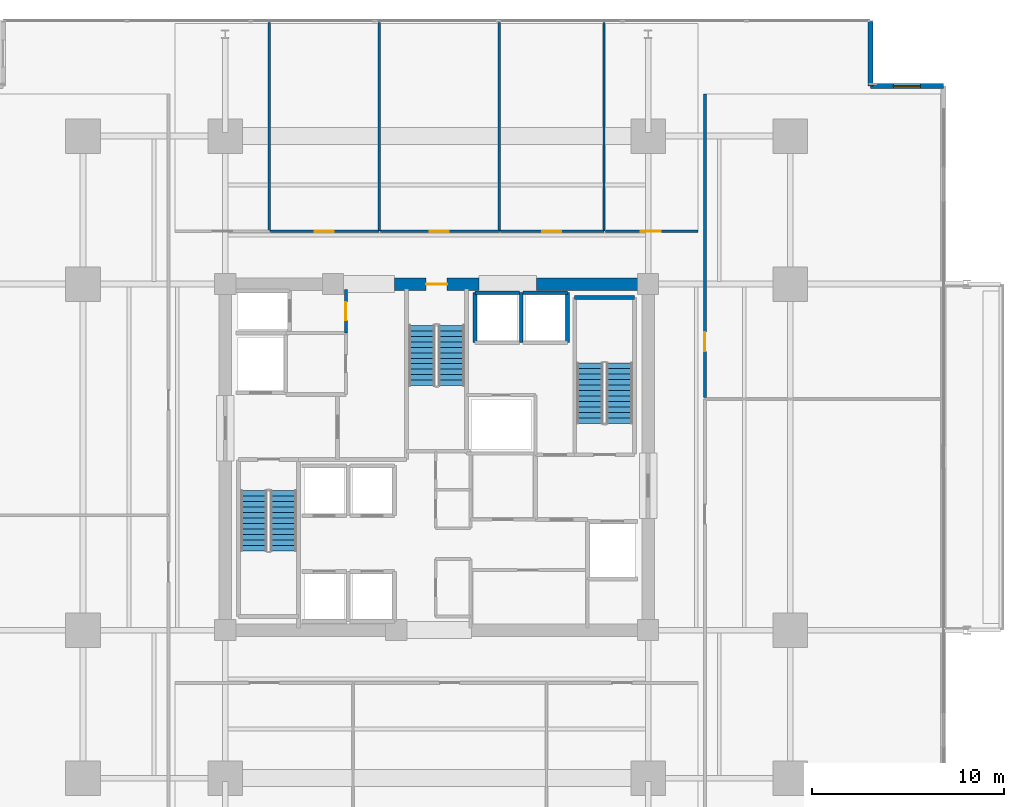
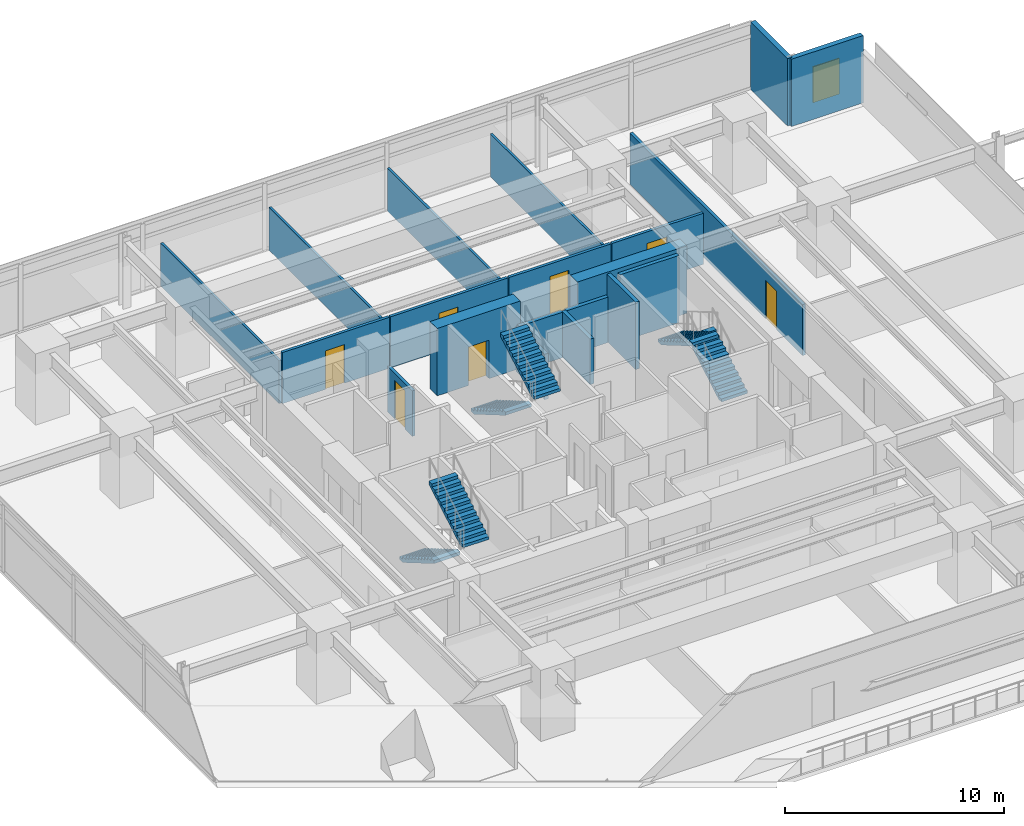
# One storey, part 18 of 23: 20 walls, 7 doors, 6 stair flights, 1 window, 8 openings, 3 elements without a shape of their own.
"""IFC4 building model written with IfcOpenShell, lengths in metres."""

from ifc_helpers import new_model, si_unit, direction, frame, frame_2d, origin, place, context, subcontext, project, spatial, polyline, rectangle, outline, extrude, material, layer, layer_set, type_object, element, fill, aggregate, save


model = new_model("IFC4")

# Units and contexts
model_context = context("Model", 3, precision=1e-05, world=origin(), true_north=direction((0.0, 1.0)))
body_context = subcontext(model_context, "Body", "Model", "MODEL_VIEW")
ifc_project = project(units=[si_unit("LENGTHUNIT", "METRE"), si_unit("AREAUNIT", "SQUARE_METRE"), si_unit("VOLUMEUNIT", "CUBIC_METRE"), si_unit("PLANEANGLEUNIT", "RADIAN"), si_unit("MASSUNIT", "GRAM", prefix="KILO")], contexts=[model_context])

# Site, building, storey
site_placement = place(None, origin())
site = spatial("IfcSite", under=ifc_project, at=site_placement, CompositionType="ELEMENT")
building_placement = place(site_placement, origin())
building = spatial("IfcBuilding", under=site, at=building_placement, Name="Kovane Verandah Tower", CompositionType="ELEMENT")
storey_placement = place(building_placement, frame((0.0, 0.0, 91.60009765625)))
storey = spatial("IfcBuildingStorey", under=building, at=storey_placement, Name="L21", CompositionType="ELEMENT", Elevation=91.60009765625)

# Wall, opening, door
ifc_material_1 = material(Name="Fire-Rated Gypsum Stud Partition", Category="gypsum")
ifc_layer_1 = layer(ifc_material_1, 0.14990234375)
ifc_layer_set_1 = layer_set([ifc_layer_1], Name="Fire-Rated Gypsum Stud Partition")
wall_type_1 = type_object("IfcWallType", Name="WL-COR-150", PredefinedType="PARTITIONING", material=ifc_layer_set_1)
wall_1_placement = place(storey_placement, frame((35.280029296875, 33.949951171875, 0.0), z_axis=(0.0, 0.0, 1.0), x_axis=(0.0, 1.0, 0.0)))
wall_1 = element("IfcWall", 1, at=wall_1_placement, inside=storey, type_object=wall_type_1, Name="L21 Goods Lift Lobby East Fire Partition", PredefinedType="PARTITIONING", context=body_context, shape_type="SweptSolid", body=[
    extrude(rectangle(XDim=2.27001953125, YDim=0.14990234375, at=frame_2d((1.135009765625, 0.0))), origin(), (0.0, 0.0, 1.0), 2.539794921875),
])
opening_1_placement = place(wall_1_placement, frame((0.659912109375, 0.0, 0.0)))
opening_1 = element("IfcOpeningElement", 2, at=opening_1_placement, cuts=wall_1, Name="Opening DR-L21-008", PredefinedType="OPENING", context=body_context, shape_type="SweptSolid", body=[
    extrude(rectangle(XDim=0.949951171875, YDim=2.14990234375, at=frame_2d((0.47509765625, 1.074951171875))), frame((0.0, 0.074951171875, 0.0), z_axis=(0.0, -1.0, 0.0), x_axis=(1.0, 0.0, 0.0)), (0.0, 0.0, 1.0), 0.14990234375),
])
ifc_material_2 = material(Name="Fire-Rated Steel Refuge and Lobby Door", Category="steel")
door_type_1 = type_object("IfcDoorType", Name="DR-FIRE-950", OperationType="SINGLE_SWING_LEFT", PredefinedType="DOOR", material=ifc_material_2)
door_1_placement = place(opening_1_placement, origin())
door_1 = element("IfcDoor", 3, at=door_1_placement, inside=storey, type_object=door_type_1, Name="L21 Goods Lift Lobby Fire Door", OperationType="SINGLE_SWING_RIGHT", OverallHeight=2.14990234375, OverallWidth=0.949951171875, PredefinedType="DOOR", context=body_context, shape_type="SweptSolid", body=[
    extrude(rectangle(XDim=0.949951171875, YDim=2.14990234375, at=frame_2d((0.47509765625, 1.074951171875))), frame((0.0, 0.02490234375, 0.0), z_axis=(0.0, -1.0, 0.0), x_axis=(1.0, 0.0, 0.0)), (0.0, 0.0, 1.0), 0.050048828125),
])
fill(opening_1, door_1)

wall_2_placement = place(storey_placement, frame((31.365966796875, 39.25, 0.0), z_axis=(0.0, 0.0, 1.0), x_axis=(1.0, 0.0, 0.0)))
wall_2 = element("IfcWall", 4, at=wall_2_placement, inside=storey, type_object=wall_type_1, Name="L21 Collaboration Hub N2 Corridor Partition", PredefinedType="PARTITIONING", context=body_context, shape_type="SweptSolid", body=[
    extrude(rectangle(XDim=5.64208984375, YDim=0.14990234375, at=frame_2d((2.821044921875, 0.0))), origin(), (0.0, 0.0, 1.0), 2.849853515625),
])
opening_2_placement = place(wall_2_placement, frame((2.285888671875, 0.0, 0.0)))
opening_2 = element("IfcOpeningElement", 5, at=opening_2_placement, cuts=wall_2, Name="Opening DR-L21-018", PredefinedType="OPENING", context=body_context, shape_type="SweptSolid", body=[
    extrude(rectangle(XDim=1.0, YDim=2.14990234375, at=frame_2d((0.5, 1.074951171875))), frame((0.0, 0.074951171875, 0.0), z_axis=(0.0, -1.0, 0.0), x_axis=(1.0, 0.0, 0.0)), (0.0, 0.0, 1.0), 0.14990234375),
])
ifc_material_3 = material(Name="FSC Spotted-Gum Timber Fire-Rated Office Door", Category="wood")
door_type_2 = type_object("IfcDoorType", Name="DR-OFF-1000", OperationType="SINGLE_SWING_LEFT", PredefinedType="DOOR", material=ifc_material_3)
door_2_placement = place(opening_2_placement, origin())
door_2 = element("IfcDoor", 6, at=door_2_placement, inside=storey, type_object=door_type_2, Name="L21 Collaboration Hub N2 Entrance Door", OperationType="SINGLE_SWING_RIGHT", OverallHeight=2.14990234375, OverallWidth=1.0, PredefinedType="DOOR", context=body_context, shape_type="SweptSolid", body=[
    extrude(rectangle(XDim=1.0, YDim=2.14990234375, at=frame_2d((0.5, 1.074951171875))), frame((0.0, 0.02490234375, 0.0), z_axis=(0.0, -1.0, 0.0), x_axis=(1.0, 0.0, 0.0)), (0.0, 0.0, 1.0), 0.050048828125),
])
fill(opening_2, door_2)

wall_3_placement = place(storey_placement, frame((37.077880859375, 39.25, 0.0), z_axis=(0.0, 0.0, 1.0), x_axis=(1.0, 0.0, 0.0)))
wall_3 = element("IfcWall", 7, at=wall_3_placement, inside=storey, type_object=wall_type_1, Name="L21 Document and Print Room N3 Corridor Partition", PredefinedType="PARTITIONING", context=body_context, shape_type="SweptSolid", body=[
    extrude(rectangle(XDim=6.18603515625, YDim=0.14990234375, at=frame_2d((3.093017578125, 0.0))), origin(), (0.0, 0.0, 1.0), 2.849853515625),
])
opening_3_placement = place(wall_3_placement, frame((2.55810546875, 0.0, 0.0)))
opening_3 = element("IfcOpeningElement", 8, at=opening_3_placement, cuts=wall_3, Name="Opening DR-L21-019", PredefinedType="OPENING", context=body_context, shape_type="SweptSolid", body=[
    extrude(rectangle(XDim=1.0, YDim=2.14990234375, at=frame_2d((0.5, 1.074951171875))), frame((0.0, 0.074951171875, 0.0), z_axis=(0.0, -1.0, 0.0), x_axis=(1.0, 0.0, 0.0)), (0.0, 0.0, 1.0), 0.14990234375),
])
door_3_placement = place(opening_3_placement, origin())
door_3 = element("IfcDoor", 9, at=door_3_placement, inside=storey, type_object=door_type_2, Name="L21 Document and Print Room N3 Entrance Door", OperationType="SINGLE_SWING_LEFT", OverallHeight=2.14990234375, OverallWidth=1.0, PredefinedType="DOOR", context=body_context, shape_type="SweptSolid", body=[
    extrude(rectangle(XDim=1.0, YDim=2.14990234375, at=frame_2d((0.5, 1.074951171875))), frame((0.0, 0.02490234375, 0.0), z_axis=(0.0, -1.0, 0.0), x_axis=(1.0, 0.0, 0.0)), (0.0, 0.0, 1.0), 0.050048828125),
])
fill(opening_3, door_3)

wall_4_placement = place(storey_placement, frame((43.333984375, 39.25, 0.0), z_axis=(0.0, 0.0, 1.0), x_axis=(1.0, 0.0, 0.0)))
wall_4 = element("IfcWall", 10, at=wall_4_placement, inside=storey, type_object=wall_type_1, Name="L21 Open Plan Office N4 Corridor Partition", PredefinedType="PARTITIONING", context=body_context, shape_type="SweptSolid", body=[
    extrude(rectangle(XDim=5.3701171875, YDim=0.14990234375, at=frame_2d((2.68505859375, 0.0))), origin(), (0.0, 0.0, 1.0), 2.849853515625),
])
opening_4_placement = place(wall_4_placement, frame((2.14990234375, 0.0, 0.0)))
opening_4 = element("IfcOpeningElement", 11, at=opening_4_placement, cuts=wall_4, Name="Opening DR-L21-020", PredefinedType="OPENING", context=body_context, shape_type="SweptSolid", body=[
    extrude(rectangle(XDim=1.0, YDim=2.14990234375, at=frame_2d((0.5, 1.074951171875))), frame((0.0, 0.074951171875, 0.0), z_axis=(0.0, -1.0, 0.0), x_axis=(1.0, 0.0, 0.0)), (0.0, 0.0, 1.0), 0.14990234375),
])
door_4_placement = place(opening_4_placement, origin())
door_4 = element("IfcDoor", 12, at=door_4_placement, inside=storey, type_object=door_type_2, Name="L21 Open Plan Office N4 Entrance Door", OperationType="SINGLE_SWING_RIGHT", OverallHeight=2.14990234375, OverallWidth=1.0, PredefinedType="DOOR", context=body_context, shape_type="SweptSolid", body=[
    extrude(rectangle(XDim=1.0, YDim=2.14990234375, at=frame_2d((0.5, 1.074951171875))), frame((0.0, 0.02490234375, 0.0), z_axis=(0.0, -1.0, 0.0), x_axis=(1.0, 0.0, 0.0)), (0.0, 0.0, 1.0), 0.050048828125),
])
fill(opening_4, door_4)

wall_5_placement = place(storey_placement, frame((48.77392578125, 39.25, 0.0), z_axis=(0.0, 0.0, 1.0), x_axis=(1.0, 0.0, 0.0)))
wall_5 = element("IfcWall", 13, at=wall_5_placement, inside=storey, type_object=wall_type_1, Name="L21 Executive Office N5 Corridor Partition", PredefinedType="PARTITIONING", context=body_context, shape_type="SweptSolid", body=[
    extrude(rectangle(XDim=4.826171875, YDim=0.14990234375, at=frame_2d((2.4130859375, 0.0))), origin(), (0.0, 0.0, 1.0), 2.849853515625),
])
opening_5_placement = place(wall_5_placement, frame((1.837890625, 0.0, 0.0)))
opening_5 = element("IfcOpeningElement", 14, at=opening_5_placement, cuts=wall_5, Name="Opening DR-L21-021", PredefinedType="OPENING", context=body_context, shape_type="SweptSolid", body=[
    extrude(rectangle(XDim=1.050048828125, YDim=2.199951171875, at=frame_2d((0.52490234375, 1.10009765625))), frame((0.0, 0.074951171875, 0.0), z_axis=(0.0, -1.0, 0.0), x_axis=(1.0, 0.0, 0.0)), (0.0, 0.0, 1.0), 0.14990234375),
])
ifc_material_4 = material(Name="FSC Blackbutt Timber Fire-Rated Executive Door", Category="wood")
door_type_3 = type_object("IfcDoorType", Name="DR-EXEC-1050", OperationType="SINGLE_SWING_LEFT", PredefinedType="DOOR", material=ifc_material_4)
door_5_placement = place(opening_5_placement, origin())
door_5 = element("IfcDoor", 15, at=door_5_placement, inside=storey, type_object=door_type_3, Name="L21 Executive Office N5 Entrance Door", OperationType="SINGLE_SWING_LEFT", OverallHeight=2.199951171875, OverallWidth=1.050048828125, PredefinedType="DOOR", context=body_context, shape_type="SweptSolid", body=[
    extrude(rectangle(XDim=1.050048828125, YDim=2.199951171875, at=frame_2d((0.52490234375, 1.10009765625))), frame((0.0, 0.02490234375, 0.0), z_axis=(0.0, -1.0, 0.0), x_axis=(1.0, 0.0, 0.0)), (0.0, 0.0, 1.0), 0.050048828125),
])
fill(opening_5, door_5)

wall_6_placement = place(storey_placement, frame((53.949951171875, 30.59326171875, 0.0), z_axis=(0.0, 0.0, 1.0), x_axis=(0.0, 1.0, 0.0)))
wall_6 = element("IfcWall", 16, at=wall_6_placement, inside=storey, type_object=wall_type_1, Name="L21 Open Plan Office E2 Corridor Partition", PredefinedType="PARTITIONING", context=body_context, shape_type="SweptSolid", body=[
    extrude(rectangle(XDim=15.8017578125, YDim=0.14990234375, at=frame_2d((7.90087890625, 0.0))), origin(), (0.0, 0.0, 1.0), 2.849853515625),
])
opening_6_placement = place(wall_6_placement, frame((2.4033203125, 0.0, 0.0)))
opening_6 = element("IfcOpeningElement", 17, at=opening_6_placement, cuts=wall_6, Name="Opening DR-L21-013", PredefinedType="OPENING", context=body_context, shape_type="SweptSolid", body=[
    extrude(rectangle(XDim=1.0, YDim=2.14990234375, at=frame_2d((0.5, 1.074951171875))), frame((0.0, 0.074951171875, 0.0), z_axis=(0.0, -1.0, 0.0), x_axis=(1.0, 0.0, 0.0)), (0.0, 0.0, 1.0), 0.14990234375),
])
door_6_placement = place(opening_6_placement, origin())
door_6 = element("IfcDoor", 18, at=door_6_placement, inside=storey, type_object=door_type_2, Name="L21 Open Plan Office E2 Entrance Door", OperationType="SINGLE_SWING_RIGHT", OverallHeight=2.14990234375, OverallWidth=1.0, PredefinedType="DOOR", context=body_context, shape_type="SweptSolid", body=[
    extrude(rectangle(XDim=1.0, YDim=2.14990234375, at=frame_2d((0.5, 1.074951171875))), frame((0.0, 0.02490234375, 0.0), z_axis=(0.0, -1.0, 0.0), x_axis=(1.0, 0.0, 0.0)), (0.0, 0.0, 1.0), 0.050048828125),
])
fill(opening_6, door_6)

ifc_material_5 = material(Name="Concrete C80/95", Category="concrete")
ifc_layer_2 = layer(ifc_material_5, 0.64990234375)
ifc_layer_set_2 = layer_set([ifc_layer_2], Name="Concrete C80/95")
wall_type_2 = type_object("IfcWallType", Name="WL-CORE-650", PredefinedType="SHEAR", material=ifc_layer_set_2)
wall_7_placement = place(storey_placement, frame((37.800048828125, 36.5, 0.0), z_axis=(0.0, 0.0, 1.0), x_axis=(1.0, 0.0, 0.0)))
wall_7 = element("IfcWall", 19, at=wall_7_placement, inside=storey, type_object=wall_type_2, Name="L21 Core Shear Wall CN-2", PredefinedType="SHEAR", context=body_context, shape_type="SweptSolid", body=[
    extrude(rectangle(XDim=4.39990234375, YDim=0.64990234375, at=frame_2d((2.199951171875, 0.0))), origin(), (0.0, 0.0, 1.0), 3.760009765625),
])
opening_7_placement = place(wall_7_placement, frame((1.64990234375, 0.0, 0.0)))
opening_7 = element("IfcOpeningElement", 20, at=opening_7_placement, cuts=wall_7, Name="Opening DR-L21-011", PredefinedType="OPENING", context=body_context, shape_type="SweptSolid", body=[
    extrude(rectangle(XDim=1.10009765625, YDim=2.14990234375, at=frame_2d((0.550048828125, 1.074951171875))), frame((0.0, 0.324951171875, 0.0), z_axis=(0.0, -1.0, 0.0), x_axis=(1.0, 0.0, 0.0)), (0.0, 0.0, 1.0), 0.64990234375),
])
ifc_material_6 = material(Name="Fire-Rated Steel Exit Door", Category="steel")
door_type_4 = type_object("IfcDoorType", Name="DR-STAIR-1100", OperationType="SINGLE_SWING_LEFT", PredefinedType="DOOR", material=ifc_material_6)
door_7_placement = place(opening_7_placement, origin())
door_7 = element("IfcDoor", 21, at=door_7_placement, inside=storey, type_object=door_type_4, Name="L21 ST-03 Fire Exit Stair Door", OperationType="SINGLE_SWING_RIGHT", OverallHeight=2.14990234375, OverallWidth=1.10009765625, PredefinedType="DOOR", context=body_context, shape_type="SweptSolid", body=[
    extrude(rectangle(XDim=1.10009765625, YDim=2.14990234375, at=frame_2d((0.550048828125, 1.074951171875))), frame((0.0, 0.02490234375, 0.0), z_axis=(0.0, -1.0, 0.0), x_axis=(1.0, 0.0, 0.0)), (0.0, 0.0, 1.0), 0.050048828125),
])
fill(opening_7, door_7)

# Walls
wall_8_placement = place(storey_placement, frame((45.199951171875, 36.5, 0.0), z_axis=(0.0, 0.0, 1.0), x_axis=(1.0, 0.0, 0.0)))
element("IfcWall", 22, at=wall_8_placement, inside=storey, type_object=wall_type_2, Name="L21 Core Shear Wall CN-3", PredefinedType="SHEAR", context=body_context, shape_type="SweptSolid", body=[
    extrude(rectangle(XDim=5.800048828125, YDim=0.64990234375, at=frame_2d((2.89990234375, 0.0))), origin(), (0.0, 0.0, 1.0), 3.760009765625),
])
ifc_material_7 = material(Name="Concrete C45/55 Lift Shaft Wall", Category="concrete")
ifc_layer_3 = layer(ifc_material_7, 0.199951171875)
ifc_layer_set_3 = layer_set([ifc_layer_3], Name="Concrete C45/55 Lift Shaft Wall")
wall_type_3 = type_object("IfcWallType", Name="WL-LIFT-200", PredefinedType="SOLIDWALL", material=ifc_layer_set_3)
wall_9_placement = place(storey_placement, frame((44.300048828125, 36.050048828125, 0.0), z_axis=(0.0, 0.0, 1.0), x_axis=(-1.0, 0.0, 0.0)))
element("IfcWall", 23, at=wall_9_placement, inside=storey, type_object=wall_type_3, Name="L21 Lift SL-01 N Shaft Wall", PredefinedType="SOLIDWALL", context=body_context, shape_type="SweptSolid", body=[
    extrude(rectangle(XDim=2.300048828125, YDim=0.199951171875, at=frame_2d((1.14990234375, 0.0))), origin(), (0.0, 0.0, 1.0), 2.539794921875),
])
for number, where, z_axis, x_axis, name in (
    (24, (42.0, 36.050048828125, 0.0), (0.0, 0.0, 1.0), (0.0, -1.0, 0.0), "L21 Lift SL-01 W Shaft Wall"),
    (25, (44.39990234375, 33.449951171875, 0.0), (0.0, 0.0, 1.0), (0.0, 1.0, 0.0), "L21 Lift OL-01 and SL-01 Shared Shaft Wall"),
):
    element("IfcWall", number, at=place(storey_placement, frame(where, z_axis=z_axis, x_axis=x_axis)), inside=storey, type_object=wall_type_3, Name=name, PredefinedType="SOLIDWALL", context=body_context, shape_type="SweptSolid", body=[
        extrude(rectangle(XDim=2.60009765625, YDim=0.199951171875, at=frame_2d((1.300048828125, 0.0))), origin(), (0.0, 0.0, 1.0), 2.539794921875),
    ])
wall_10_placement = place(storey_placement, frame((46.800048828125, 36.050048828125, 0.0), z_axis=(0.0, 0.0, 1.0), x_axis=(-1.0, 0.0, 0.0)))
element("IfcWall", 26, at=wall_10_placement, inside=storey, type_object=wall_type_3, Name="L21 Lift OL-01 N Shaft Wall", PredefinedType="SOLIDWALL", context=body_context, shape_type="SweptSolid", body=[
    extrude(rectangle(XDim=2.300048828125, YDim=0.199951171875, at=frame_2d((1.14990234375, 0.0))), origin(), (0.0, 0.0, 1.0), 2.539794921875),
])
wall_11_placement = place(storey_placement, frame((46.800048828125, 33.449951171875, 0.0), z_axis=(0.0, 0.0, 1.0), x_axis=(0.0, 1.0, 0.0)))
element("IfcWall", 27, at=wall_11_placement, inside=storey, type_object=wall_type_3, Name="L21 Lift OL-01 E Shaft Wall", PredefinedType="SOLIDWALL", context=body_context, shape_type="SweptSolid", body=[
    extrude(rectangle(XDim=2.60009765625, YDim=0.199951171875, at=frame_2d((1.300048828125, 0.0))), origin(), (0.0, 0.0, 1.0), 3.760009765625),
])
ifc_material_8 = material(Name="Acoustic Fire-Rated Gypsum Partition", Category="gypsum")
ifc_layer_4 = layer(ifc_material_8, 0.1201171875)
ifc_layer_set_4 = layer_set([ifc_layer_4], Name="Acoustic Fire-Rated Gypsum Partition")
wall_type_4 = type_object("IfcWallType", Name="WL-PART-120", PredefinedType="PARTITIONING", material=ifc_layer_set_4)
for number, where, z_axis, x_axis, name in (
    (28, (31.2958984375, 39.25, 0.0), (0.0, 0.0, 1.0), (0.0, 1.0, 0.0), "L21 Breakout Pantry N1 Dividing Partition"),
    (29, (37.008056640625, 39.25, 0.0), (0.0, 0.0, 1.0), (0.0, 1.0, 0.0), "L21 Collaboration Hub N2 Dividing Partition"),
    (30, (43.263916015625, 39.25, 0.0), (0.0, 0.0, 1.0), (0.0, 1.0, 0.0), "L21 Document and Print Room N3 Dividing Partition"),
    (31, (48.7041015625, 39.25, 0.0), (0.0, 0.0, 1.0), (0.0, 1.0, 0.0), "L21 Open Plan Office N4 Dividing Partition"),
):
    element("IfcWall", number, at=place(storey_placement, frame(where, z_axis=z_axis, x_axis=x_axis)), inside=storey, type_object=wall_type_4, Name=name, PredefinedType="PARTITIONING", context=body_context, shape_type="SweptSolid", body=[
        extrude(rectangle(XDim=10.844970703125, YDim=0.1201171875, at=frame_2d((5.42236328125, 0.0))), origin(), (0.0, 0.0, 1.0), 2.389892578125),
    ])
ifc_material_9 = material(Name="Concrete C45/55", Category="concrete")
ifc_layer_5 = layer(ifc_material_9, 0.199951171875)
ifc_layer_set_5 = layer_set([ifc_layer_5], Name="Concrete C45/55")
wall_type_5 = type_object("IfcWallType", Name="WL-SHAFT-200", PredefinedType="SOLIDWALL", material=ifc_layer_set_5)
wall_12_placement = place(storey_placement, frame((47.179931640625, 35.800048828125, 0.0), z_axis=(0.0, 0.0, 1.0), x_axis=(1.0, 0.0, 0.0)))
element("IfcWall", 32, at=wall_12_placement, inside=storey, type_object=wall_type_5, Name="W-L21-ST02-N", PredefinedType="SOLIDWALL", context=body_context, shape_type="SweptSolid", body=[
    extrude(rectangle(XDim=3.1201171875, YDim=0.199951171875, at=frame_2d((1.56005859375, 0.0))), origin(), (0.0, 0.0, 1.0), 3.760009765625),
])

# Wall, opening, window
ifc_material_10 = material(Name="Concrete C45/55 Insulated Spandrel Wall", Category="concrete")
ifc_layer_6 = layer(ifc_material_10, 0.260009765625)
ifc_layer_set_6 = layer_set([ifc_layer_6], Name="Concrete C45/55 Insulated Spandrel Wall")
wall_type_6 = type_object("IfcWallType", Name="WL-SPANDREL-260", PredefinedType="PARAPET", material=ifc_layer_set_6)
wall_13_placement = place(storey_placement, frame((66.364013671875, 46.794921875, 0.0), z_axis=(0.0, 0.0, 1.0), x_axis=(-1.0, 0.0, 0.0)))
wall_13 = element("IfcWall", 33, at=wall_13_placement, inside=storey, type_object=wall_type_6, Name="L21 NE Notch Cheek Wall 1", PredefinedType="PARAPET", context=body_context, shape_type="SweptSolid", body=[
    extrude(rectangle(XDim=3.7998046875, YDim=0.260009765625, at=frame_2d((1.89990234375, 0.0))), origin(), (0.0, 0.0, 1.0), 3.760009765625),
])
opening_8_placement = place(wall_13_placement, frame((1.199951171875, 0.0, 0.85009765625)))
opening_8 = element("IfcOpeningElement", 34, at=opening_8_placement, cuts=wall_13, Name="Opening W-01", PredefinedType="OPENING", context=body_context, shape_type="SweptSolid", body=[
    extrude(rectangle(XDim=1.39990234375, YDim=2.0, at=frame_2d((0.699951171875, 1.0))), frame((0.0, 0.1298828125, 0.0), z_axis=(0.0, -1.0, 0.0), x_axis=(1.0, 0.0, 0.0)), (0.0, 0.0, 1.0), 0.260009765625),
])
ifc_material_11 = material(Name="Clear Low-E Laminated Double Glazing in Anodised Frame", Category="glass")
window_type = type_object("IfcWindowType", Name="WN-OPER-1400x2000", PartitioningType="SINGLE_PANEL", PredefinedType="WINDOW", material=ifc_material_11)
window_placement = place(opening_8_placement, origin())
window = element("IfcWindow", 35, at=window_placement, inside=storey, type_object=window_type, Name="L21 NE Re-Entrant Corner Operable Window", OverallHeight=2.0, OverallWidth=1.39990234375, PartitioningType="SINGLE_PANEL", PredefinedType="WINDOW", context=body_context, shape_type="SweptSolid", body=[
    extrude(rectangle(XDim=1.39990234375, YDim=2.0, at=frame_2d((0.699951171875, 1.0))), frame((0.0, 0.030029296875, 0.0), z_axis=(0.0, -1.0, 0.0), x_axis=(1.0, 0.0, 0.0)), (0.0, 0.0, 1.0), 0.06005859375),
])
fill(opening_8, window)

# Wall
wall_14_placement = place(storey_placement, frame((62.564208984375, 46.794921875, 0.0), z_axis=(0.0, 0.0, 1.0), x_axis=(0.0, 1.0, 0.0)))
element("IfcWall", 36, at=wall_14_placement, inside=storey, type_object=wall_type_6, Name="L21 NE Notch Cheek Wall 2", PredefinedType="PARAPET", context=body_context, shape_type="SweptSolid", body=[
    extrude(rectangle(XDim=3.39990234375, YDim=0.260009765625, at=frame_2d((1.699951171875, 0.0))), origin(), (0.0, 0.0, 1.0), 3.760009765625),
])

# Stair, stair flights
stair_type = type_object("IfcStairType", Name="ST-CORE-1380", PredefinedType="HALF_TURN_STAIR", material=ifc_material_9)
stair_1_placement = place(storey_placement, origin())
stair_1 = element("IfcStair", 37, at=stair_1_placement, inside=storey, type_object=stair_type, Name="L21 Exit Stair ST-01", PredefinedType="HALF_TURN_STAIR")
stair_flight_type = type_object("IfcStairFlightType", Name="STF-CORE-1380", PredefinedType="STRAIGHT", material=ifc_material_9)
stair_flight_1_placement = place(storey_placement, frame((30.489990234375, 25.75, 0.0), z_axis=(0.0, 0.0, 1.0), x_axis=(0.0, -1.0, 0.0)))
stair_flight_1 = element("IfcStairFlight", 38, at=stair_flight_1_placement, type_object=stair_flight_type, Name="ST-01 flight 1", NumberOfRisers=12, NumberOfTreads=11, PredefinedType="STRAIGHT", RiserHeight=0.166666667, TreadLength=0.285, context=body_context, shape_type="SweptSolid", body=[
    extrude(outline(polyline([(0.0, 0.0), (0.0, 0.166748046875), (0.284912109375, 0.166748046875), (0.284912109375, 0.333251953125), (0.570068359375, 0.333251953125), (0.570068359375, 0.5), (0.85498046875, 0.5), (0.85498046875, 0.666748046875), (1.139892578125, 0.666748046875), (1.139892578125, 0.833251953125), (1.425048828125, 0.833251953125), (1.425048828125, 1.0), (1.7099609375, 1.0), (1.7099609375, 1.166748046875), (1.9951171875, 1.166748046875), (1.9951171875, 1.333251953125), (2.280029296875, 1.333251953125), (2.280029296875, 1.5), (2.56494140625, 1.5), (2.56494140625, 1.666748046875), (2.85009765625, 1.666748046875), (2.85009765625, 1.833251953125), (3.135009765625, 1.833251953125), (3.135009765625, 2.0), (3.135009765625, 1.65966796875), (0.296875, 0.0), (0.0, 0.0)])), frame((0.0, 0.68994140625, 0.0), z_axis=(0.0, -1.0, 0.0), x_axis=(1.0, 0.0, 0.0)), (0.0, 0.0, 1.0), 1.3798828125),
])
stair_flight_2_placement = place(storey_placement, frame((32.030029296875, 22.614990234375, 2.0), z_axis=(0.0, 0.0, 1.0), x_axis=(0.0, 1.0, 0.0)))
stair_flight_2 = element("IfcStairFlight", 39, at=stair_flight_2_placement, type_object=stair_flight_type, Name="ST-01 flight 2", NumberOfRisers=12, NumberOfTreads=11, PredefinedType="STRAIGHT", RiserHeight=0.166666667, TreadLength=0.285, context=body_context, shape_type="SweptSolid", body=[
    extrude(outline(polyline([(0.0, 0.0), (0.0, 0.166748046875), (0.284912109375, 0.166748046875), (0.284912109375, 0.333251953125), (0.570068359375, 0.333251953125), (0.570068359375, 0.5), (0.85498046875, 0.5), (0.85498046875, 0.666748046875), (1.139892578125, 0.666748046875), (1.139892578125, 0.833251953125), (1.425048828125, 0.833251953125), (1.425048828125, 1.0), (1.7099609375, 1.0), (1.7099609375, 1.166748046875), (1.9951171875, 1.166748046875), (1.9951171875, 1.333251953125), (2.280029296875, 1.333251953125), (2.280029296875, 1.5), (2.56494140625, 1.5), (2.56494140625, 1.666748046875), (2.85009765625, 1.666748046875), (2.85009765625, 1.833251953125), (3.135009765625, 1.833251953125), (3.135009765625, 2.0), (3.135009765625, 1.65966796875), (0.296875, 0.0), (0.0, 0.0)])), frame((0.0, 0.68994140625, 0.0), z_axis=(0.0, -1.0, 0.0), x_axis=(1.0, 0.0, 0.0)), (0.0, 0.0, 1.0), 1.3798828125),
])
aggregate(stair_1, [stair_flight_1, stair_flight_2])

stair_2_placement = place(storey_placement, origin())
stair_2 = element("IfcStair", 40, at=stair_2_placement, inside=storey, type_object=stair_type, Name="L21 Exit Stair ST-02", PredefinedType="HALF_TURN_STAIR")
stair_flight_3_placement = place(storey_placement, frame((49.510009765625, 29.25, 0.0), z_axis=(0.0, 0.0, 1.0), x_axis=(0.0, 1.0, 0.0)))
stair_flight_3 = element("IfcStairFlight", 41, at=stair_flight_3_placement, type_object=stair_flight_type, Name="ST-02 flight 1", NumberOfRisers=12, NumberOfTreads=11, PredefinedType="STRAIGHT", RiserHeight=0.166666667, TreadLength=0.285, context=body_context, shape_type="SweptSolid", body=[
    extrude(outline(polyline([(0.0, 0.0), (0.0, 0.166748046875), (0.284912109375, 0.166748046875), (0.284912109375, 0.333251953125), (0.570068359375, 0.333251953125), (0.570068359375, 0.5), (0.85498046875, 0.5), (0.85498046875, 0.666748046875), (1.139892578125, 0.666748046875), (1.139892578125, 0.833251953125), (1.425048828125, 0.833251953125), (1.425048828125, 1.0), (1.7099609375, 1.0), (1.7099609375, 1.166748046875), (1.9951171875, 1.166748046875), (1.9951171875, 1.333251953125), (2.280029296875, 1.333251953125), (2.280029296875, 1.5), (2.56494140625, 1.5), (2.56494140625, 1.666748046875), (2.85009765625, 1.666748046875), (2.85009765625, 1.833251953125), (3.135009765625, 1.833251953125), (3.135009765625, 2.0), (3.135009765625, 1.65966796875), (0.296875, 0.0), (0.0, 0.0)])), frame((0.0, 0.68994140625, 0.0), z_axis=(0.0, -1.0, 0.0), x_axis=(1.0, 0.0, 0.0)), (0.0, 0.0, 1.0), 1.3798828125),
])
stair_flight_4_placement = place(storey_placement, frame((47.969970703125, 32.385009765625, 2.0), z_axis=(0.0, 0.0, 1.0), x_axis=(0.0, -1.0, 0.0)))
stair_flight_4 = element("IfcStairFlight", 42, at=stair_flight_4_placement, type_object=stair_flight_type, Name="ST-02 flight 2", NumberOfRisers=12, NumberOfTreads=11, PredefinedType="STRAIGHT", RiserHeight=0.166666667, TreadLength=0.285, context=body_context, shape_type="SweptSolid", body=[
    extrude(outline(polyline([(0.0, 0.0), (0.0, 0.166748046875), (0.284912109375, 0.166748046875), (0.284912109375, 0.333251953125), (0.570068359375, 0.333251953125), (0.570068359375, 0.5), (0.85498046875, 0.5), (0.85498046875, 0.666748046875), (1.139892578125, 0.666748046875), (1.139892578125, 0.833251953125), (1.425048828125, 0.833251953125), (1.425048828125, 1.0), (1.7099609375, 1.0), (1.7099609375, 1.166748046875), (1.9951171875, 1.166748046875), (1.9951171875, 1.333251953125), (2.280029296875, 1.333251953125), (2.280029296875, 1.5), (2.56494140625, 1.5), (2.56494140625, 1.666748046875), (2.85009765625, 1.666748046875), (2.85009765625, 1.833251953125), (3.135009765625, 1.833251953125), (3.135009765625, 2.0), (3.135009765625, 1.65966796875), (0.296875, 0.0), (0.0, 0.0)])), frame((0.0, 0.68994140625, 0.0), z_axis=(0.0, -1.0, 0.0), x_axis=(1.0, 0.0, 0.0)), (0.0, 0.0, 1.0), 1.3798828125),
])
aggregate(stair_2, [stair_flight_3, stair_flight_4])

stair_3_placement = place(storey_placement, origin())
stair_3 = element("IfcStair", 43, at=stair_3_placement, inside=storey, type_object=stair_type, Name="L21 Exit Stair ST-03", PredefinedType="HALF_TURN_STAIR")
stair_flight_5_placement = place(storey_placement, frame((39.22998046875, 34.35009765625, 0.0), z_axis=(0.0, 0.0, 1.0), x_axis=(0.0, -1.0, 0.0)))
stair_flight_5 = element("IfcStairFlight", 44, at=stair_flight_5_placement, type_object=stair_flight_type, Name="ST-03 flight 1", NumberOfRisers=12, NumberOfTreads=11, PredefinedType="STRAIGHT", RiserHeight=0.166666667, TreadLength=0.285, context=body_context, shape_type="SweptSolid", body=[
    extrude(outline(polyline([(0.0, 0.0), (0.0, 0.166748046875), (0.284912109375, 0.166748046875), (0.284912109375, 0.333251953125), (0.570068359375, 0.333251953125), (0.570068359375, 0.5), (0.85498046875, 0.5), (0.85498046875, 0.666748046875), (1.139892578125, 0.666748046875), (1.139892578125, 0.833251953125), (1.425048828125, 0.833251953125), (1.425048828125, 1.0), (1.7099609375, 1.0), (1.7099609375, 1.166748046875), (1.9951171875, 1.166748046875), (1.9951171875, 1.333251953125), (2.280029296875, 1.333251953125), (2.280029296875, 1.5), (2.56494140625, 1.5), (2.56494140625, 1.666748046875), (2.85009765625, 1.666748046875), (2.85009765625, 1.833251953125), (3.135009765625, 1.833251953125), (3.135009765625, 2.0), (3.135009765625, 1.65966796875), (0.296875, 0.0), (0.0, 0.0)])), frame((0.0, 0.68994140625, 0.0), z_axis=(0.0, -1.0, 0.0), x_axis=(1.0, 0.0, 0.0)), (0.0, 0.0, 1.0), 1.3798828125),
])
stair_flight_6_placement = place(storey_placement, frame((40.77001953125, 31.215087890625, 2.0), z_axis=(0.0, 0.0, 1.0), x_axis=(0.0, 1.0, 0.0)))
stair_flight_6 = element("IfcStairFlight", 45, at=stair_flight_6_placement, type_object=stair_flight_type, Name="ST-03 flight 2", NumberOfRisers=12, NumberOfTreads=11, PredefinedType="STRAIGHT", RiserHeight=0.166666667, TreadLength=0.285, context=body_context, shape_type="SweptSolid", body=[
    extrude(outline(polyline([(0.0, 0.0), (0.0, 0.166748046875), (0.284912109375, 0.166748046875), (0.284912109375, 0.333251953125), (0.570068359375, 0.333251953125), (0.570068359375, 0.5), (0.85498046875, 0.5), (0.85498046875, 0.666748046875), (1.139892578125, 0.666748046875), (1.139892578125, 0.833251953125), (1.425048828125, 0.833251953125), (1.425048828125, 1.0), (1.7099609375, 1.0), (1.7099609375, 1.166748046875), (1.9951171875, 1.166748046875), (1.9951171875, 1.333251953125), (2.280029296875, 1.333251953125), (2.280029296875, 1.5), (2.56494140625, 1.5), (2.56494140625, 1.666748046875), (2.85009765625, 1.666748046875), (2.85009765625, 1.833251953125), (3.135009765625, 1.833251953125), (3.135009765625, 2.0), (3.135009765625, 1.65966796875), (0.296875, 0.0), (0.0, 0.0)])), frame((0.0, 0.68994140625, 0.0), z_axis=(0.0, -1.0, 0.0), x_axis=(1.0, 0.0, 0.0)), (0.0, 0.0, 1.0), 1.3798828125),
])
aggregate(stair_3, [stair_flight_5, stair_flight_6])

save(model, "model.ifc")
